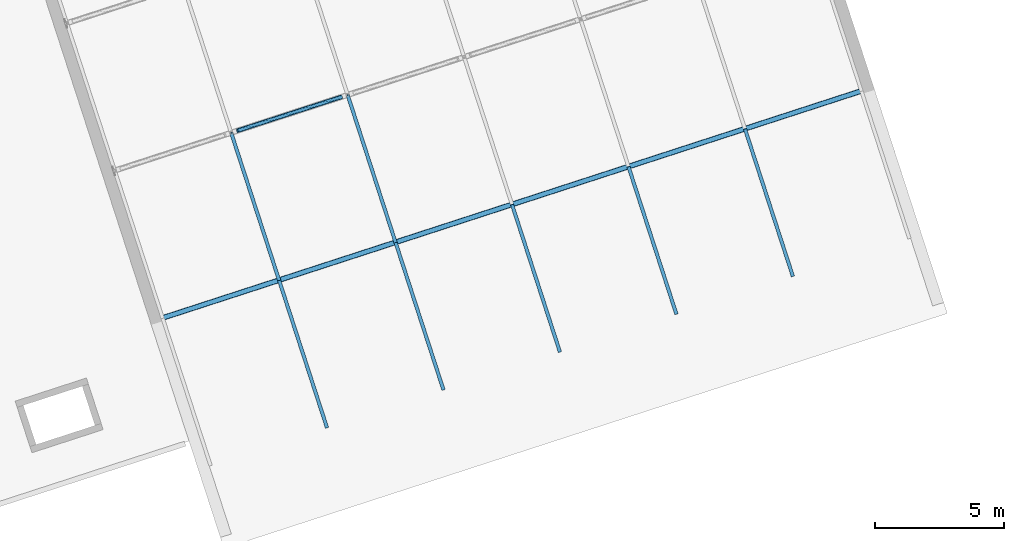
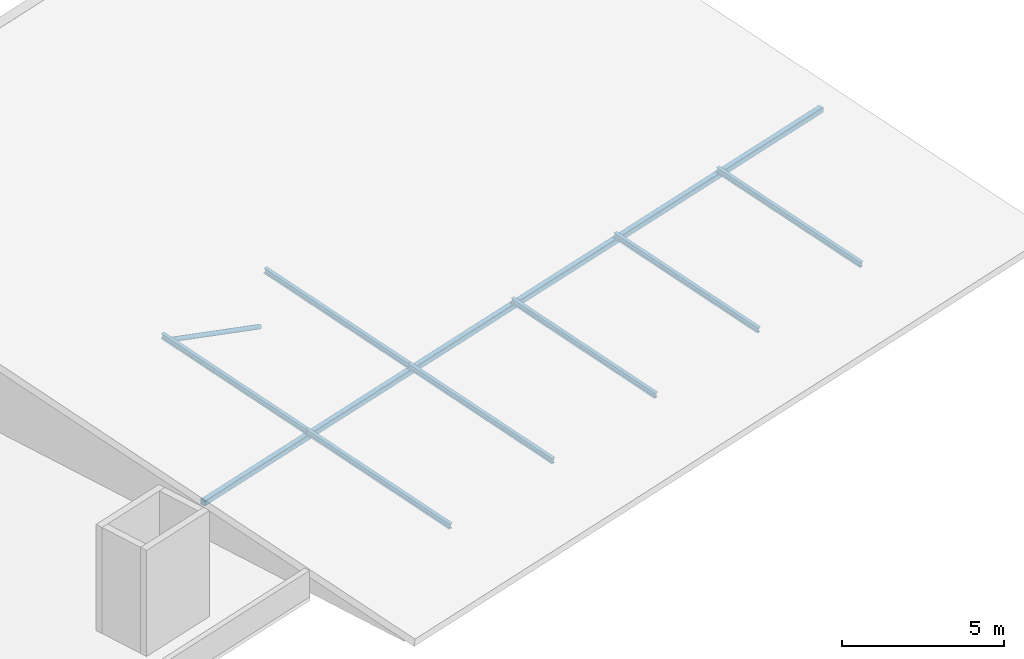
# One storey, part 5 of 55: 9 members.
"""IFC4 building model written with IfcOpenShell, lengths in metres."""

from ifc_helpers import new_model, si_unit, direction, frame, origin, origin_2d, place, context, subcontext, project, spatial, hollow_rectangle, hollow_circle, i_section, extrude, material, material_profile, profile_set, type_object, element, save


model = new_model("IFC4")

# Units and contexts
model_context = context("Model", 3, precision=1e-05, world=origin(), true_north=direction((0.0, 1.0)))
body_context = subcontext(model_context, "Body", "Model", "MODEL_VIEW")
ifc_project = project(units=[si_unit("LENGTHUNIT", "METRE"), si_unit("AREAUNIT", "SQUARE_METRE"), si_unit("VOLUMEUNIT", "CUBIC_METRE"), si_unit("PLANEANGLEUNIT", "RADIAN"), si_unit("MASSUNIT", "GRAM", prefix="KILO")], contexts=[model_context])

# Site, building, storey
site_placement = place(None, origin())
site = spatial("IfcSite", under=ifc_project, at=site_placement, CompositionType="ELEMENT")
building_placement = place(site_placement, origin())
building = spatial("IfcBuilding", under=site, at=building_placement, Name="Tuart Plaza Theatre", CompositionType="ELEMENT")
storey_placement = place(building_placement, frame((0.0, 0.0, 21.5)))
storey = spatial("IfcBuildingStorey", under=building, at=storey_placement, Name="L05", CompositionType="ELEMENT", Elevation=21.5)

# Members
ifc_material_1 = material(Name="Steel Grade C350L0", Category="steel")
ifc_material_profile_1 = material_profile(ifc_material_1, hollow_circle(Radius=0.084228515625, WallThickness=0.00634765625, at=origin_2d()), Name="168.3x6.4 CHS")
ifc_profile_set_1 = profile_set([ifc_material_profile_1], Name="Steel Grade C350L0")
member_type_1 = type_object("IfcMemberType", Name="MEMBER Brace 168.3x6.4 CHS", PredefinedType="BRACE", material=ifc_profile_set_1)
member_1_placement = place(storey_placement, frame((50.373291015625, 57.893310546875, 1.591552734375), z_axis=(0.882836366836, 0.286800293673, -0.371948304125), x_axis=(-0.308967658636, 0.951072545034, 0.0)))
element("IfcMember", 1, at=member_1_placement, inside=storey, type_object=member_type_1, Name="BR14", PredefinedType="BRACE", context=body_context, shape_type="SweptSolid", body=[
    extrude(hollow_circle(Radius=0.084228515625, WallThickness=0.00634765625, at=origin_2d()), origin(), (0.0, 0.0, 1.0), 4.5703125),
])
ifc_material_2 = material(Name="Steel Grade C350L0", Category="steel")
ifc_material_profile_2 = material_profile(ifc_material_2, hollow_rectangle(XDim=0.199951171875, YDim=0.199951171875, WallThickness=0.010009765625, InnerFilletRadius=0.010009765625, OuterFilletRadius=0.02001953125, at=origin_2d()), Name="200x200x10 SHS")
ifc_profile_set_2 = profile_set([ifc_material_profile_2], Name="Steel Grade C350L0")
member_type_2 = type_object("IfcMemberType", Name="MEMBER Chord 200x200x10 SHS", PredefinedType="CHORD", material=ifc_profile_set_2)
member_2_placement = place(storey_placement, frame((47.432861328125, 50.629150390625, 0.8994140625), z_axis=(0.951058008754, 0.309012401021, 0.0), x_axis=(-0.309012401021, 0.951058008754, 0.0)))
element("IfcMember", 2, at=member_2_placement, inside=storey, type_object=member_type_2, Name="CH4", PredefinedType="CHORD", context=body_context, shape_type="SweptSolid", body=[
    extrude(hollow_rectangle(XDim=0.199951171875, YDim=0.199951171875, WallThickness=0.010009765625, InnerFilletRadius=0.010009765625, OuterFilletRadius=0.02001953125, at=origin_2d()), origin(), (0.0, 0.0, 1.0), 28.5498046875),
])
ifc_material_3 = material(Name="Steel Grade 300", Category="steel")
ifc_material_profile_3 = material_profile(ifc_material_3, i_section(OverallWidth=0.133056640625, OverallDepth=0.202880859375, WebThickness=0.005859375, FlangeThickness=0.0078125, FilletRadius=0.0087890625, at=origin_2d()), Name="200UB25.4")
ifc_profile_set_3 = profile_set([ifc_material_profile_3], Name="Steel Grade 300")
member_type_3 = type_object("IfcMemberType", Name="MEMBER Purlin 200UB25.4", PredefinedType="PURLIN", material=ifc_profile_set_3)
member_3_placement = place(storey_placement, frame((53.843994140625, 46.4033203125, 0.322998046875), z_axis=(-0.306335155891, 0.942886217251, 0.130860053425), x_axis=(-0.951064563596, -0.308992226232, 0.0)))
element("IfcMember", 3, at=member_3_placement, inside=storey, type_object=member_type_3, Name="PU8", PredefinedType="PURLIN", context=body_context, shape_type="SweptSolid", body=[
    extrude(i_section(OverallWidth=0.133056640625, OverallDepth=0.202880859375, WebThickness=0.005859375, FlangeThickness=0.0078125, FilletRadius=0.0087890625, at=origin_2d()), origin(), (0.0, 0.0, 1.0), 6.05224609375),
])
for number, where, z_axis, x_axis, name in (
    (4, (51.989990234375, 52.10986328125, 1.114990234375), (-0.306345190325, 0.942876762375, 0.130904680354), (-0.95106067854, -0.309004184009, 0.0), "PU9"),
    (5, (58.353759765625, 47.86865234375, 0.322998046875), (-0.306383361879, 0.942870087847, 0.130863413553), (-0.951048719763, -0.309040988602, 0.0), "PU14"),
    (6, (56.49951171875, 53.574951171875, 1.114990234375), (-0.306345190325, 0.942876762375, 0.130904680354), (-0.95106067854, -0.309004184009, 0.0), "PU15"),
    (7, (62.86328125, 49.333984375, 0.322998046875), (-0.306346807821, 0.942881740744, 0.130865030889), (-0.95106067854, -0.309004184009, 0.0), "PU20"),
):
    element("IfcMember", number, at=place(storey_placement, frame(where, z_axis=z_axis, x_axis=x_axis)), inside=storey, type_object=member_type_3, Name=name, PredefinedType="PURLIN", context=body_context, shape_type="SweptSolid", body=[
        extrude(i_section(OverallWidth=0.133056640625, OverallDepth=0.202880859375, WebThickness=0.005859375, FlangeThickness=0.0078125, FilletRadius=0.0087890625, at=origin_2d()), origin(), (0.0, 0.0, 1.0), 6.052001953125),
    ])
member_4_placement = place(storey_placement, frame((67.372802734375, 50.799072265625, 0.322998046875), z_axis=(-0.306335155891, 0.942886217251, 0.130860053425), x_axis=(-0.951064563596, -0.308992226232, 0.0)))
element("IfcMember", 8, at=member_4_placement, inside=storey, type_object=member_type_3, Name="PU26", PredefinedType="PURLIN", context=body_context, shape_type="SweptSolid", body=[
    extrude(i_section(OverallWidth=0.133056640625, OverallDepth=0.202880859375, WebThickness=0.005859375, FlangeThickness=0.0078125, FilletRadius=0.0087890625, at=origin_2d()), origin(), (0.0, 0.0, 1.0), 6.05224609375),
])
member_5_placement = place(storey_placement, frame((71.882568359375, 52.264404296875, 0.322998046875), z_axis=(-0.306383361879, 0.942870087847, 0.130863413553), x_axis=(-0.951048719763, -0.309040988602, 0.0)))
element("IfcMember", 9, at=member_5_placement, inside=storey, type_object=member_type_3, Name="PU32", PredefinedType="PURLIN", context=body_context, shape_type="SweptSolid", body=[
    extrude(i_section(OverallWidth=0.133056640625, OverallDepth=0.202880859375, WebThickness=0.005859375, FlangeThickness=0.0078125, FilletRadius=0.0087890625, at=origin_2d()), origin(), (0.0, 0.0, 1.0), 6.052001953125),
])

save(model, "model.ifc")
